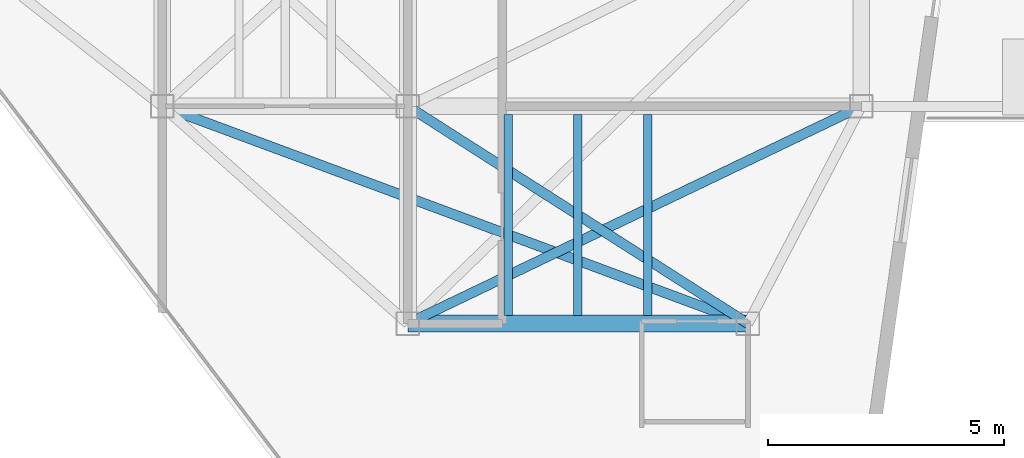
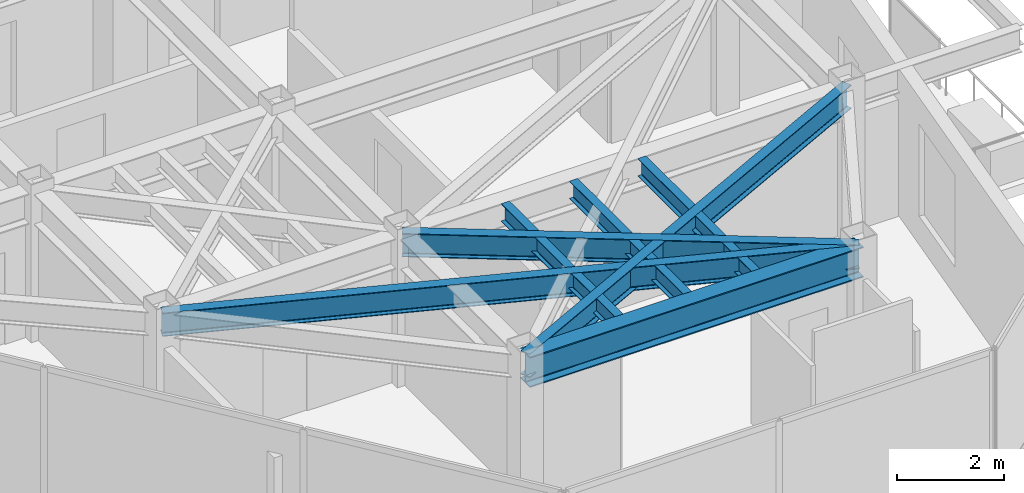
# One storey, part 10 of 17: 7 beams.
"""IFC4 building model written with IfcOpenShell, lengths in metres."""

from ifc_helpers import new_model, si_unit, direction, frame, origin, origin_2d, place, context, subcontext, project, spatial, i_section, extrude, material, material_profile, profile_set, type_object, element, save


model = new_model("IFC4")

# Units and contexts
model_context = context("Model", 3, precision=1e-05, world=origin(), true_north=direction((0.0, 1.0)))
body_context = subcontext(model_context, "Body", "Model", "MODEL_VIEW")
ifc_project = project(units=[si_unit("LENGTHUNIT", "METRE"), si_unit("AREAUNIT", "SQUARE_METRE"), si_unit("VOLUMEUNIT", "CUBIC_METRE"), si_unit("PLANEANGLEUNIT", "RADIAN"), si_unit("MASSUNIT", "GRAM", prefix="KILO")], contexts=[model_context])

# Site, building, storey
site_placement = place(None, origin())
site = spatial("IfcSite", under=ifc_project, at=site_placement, CompositionType="ELEMENT")
building_placement = place(site_placement, origin())
building = spatial("IfcBuilding", under=site, at=building_placement, Name="Kravanh Interchange Tower", CompositionType="ELEMENT")
storey_placement = place(building_placement, frame((0.0, 0.0, 256.199951171875)))
storey = spatial("IfcBuildingStorey", under=building, at=storey_placement, Name="L62", CompositionType="ELEMENT", Elevation=256.199951171875)

# Beams
ifc_material_1 = material(Name="Structural Steel S355", Category="steel")
ifc_material_profile_1 = material_profile(ifc_material_1, i_section(OverallWidth=0.35498046875, OverallDepth=0.696044921875, WebThickness=0.015380859375, FlangeThickness=0.02490234375, FilletRadius=0.02392578125, at=origin_2d()), Name="W27X146")
ifc_profile_set_1 = profile_set([ifc_material_profile_1], Name="Structural Steel S355")
beam_type_1 = type_object("IfcBeamType", Name="Floor Beam W27X146 Structural Steel S355", PredefinedType="BEAM", material=ifc_profile_set_1)
beam_1_placement = place(storey_placement, frame((56.0, 22.199951171875, 3.011962890625), z_axis=(1.0, 0.0, 0.0), x_axis=(0.0, 1.0, 0.0)))
element("IfcBeam", 1, at=beam_1_placement, inside=storey, type_object=beam_type_1, Name="L62 Primary Floor Girder 39", PredefinedType="BEAM", context=body_context, shape_type="SweptSolid", body=[
    extrude(i_section(OverallWidth=0.35498046875, OverallDepth=0.696044921875, WebThickness=0.015380859375, FlangeThickness=0.02490234375, FilletRadius=0.02392578125, at=origin_2d()), origin(), (0.0, 0.0, 1.0), 7.199951171875),
])
ifc_material_2 = material(Name="Structural Steel S355", Category="steel")
ifc_material_profile_2 = material_profile(ifc_material_2, i_section(OverallWidth=0.177978515625, OverallDepth=0.406005859375, WebThickness=0.0078125, FlangeThickness=0.0126953125, FilletRadius=0.01611328125, at=origin_2d()), Name="W16X40")
ifc_profile_set_2 = profile_set([ifc_material_profile_2], Name="Structural Steel S355")
beam_type_2 = type_object("IfcBeamType", Name="Floor Joist W16X40 Structural Steel S355", PredefinedType="JOIST", material=ifc_profile_set_2)
for number, where, z_axis, x_axis, name in (
    (2, (58.125, 22.37255859375, 3.156982421875), (0.0, 1.0, 0.0), (-1.0, 0.0, 0.0), "L62 Secondary Floor Joist 1"),
    (3, (59.60009765625, 22.37255859375, 3.156982421875), (0.0, 1.0, 0.0), (-1.0, 0.0, 0.0), "L62 Secondary Floor Joist 2"),
    (4, (61.074951171875, 22.37255859375, 3.156982421875), (0.0, 1.0, 0.0), (-1.0, 0.0, 0.0), "L62 Secondary Floor Joist 3"),
):
    element("IfcBeam", number, at=place(storey_placement, frame(where, z_axis=z_axis, x_axis=x_axis)), inside=storey, type_object=beam_type_2, Name=name, PredefinedType="JOIST", context=body_context, shape_type="SweptSolid", body=[
        extrude(i_section(OverallWidth=0.177978515625, OverallDepth=0.406005859375, WebThickness=0.0078125, FlangeThickness=0.0126953125, FilletRadius=0.01611328125, at=origin_2d()), origin(), (0.0, 0.0, 1.0), 4.2548828125),
    ])
ifc_material_3 = material(Name="Structural Steel S355", Category="steel")
ifc_material_profile_3 = material_profile(ifc_material_3, i_section(OverallWidth=0.2099609375, OverallDepth=0.537109375, WebThickness=0.010986328125, FlangeThickness=0.017333984375, FilletRadius=0.02001953125, at=origin_2d()), Name="W21X68")
ifc_profile_set_3 = profile_set([ifc_material_profile_3], Name="Structural Steel S355")
beam_type_3 = type_object("IfcBeamType", Name="Floor Spandrel W21X68 Structural Steel S355", PredefinedType="SPANDREL", material=ifc_profile_set_3)
beam_2_placement = place(storey_placement, frame((50.800048828125, 26.800048828125, 3.091552734375), z_axis=(0.937562917338, -0.347815721372, 0.0), x_axis=(0.347815721372, 0.937562917338, 0.0)))
element("IfcBeam", 5, at=beam_2_placement, inside=storey, type_object=beam_type_3, Name="L62 Perimeter Spandrel 33", PredefinedType="SPANDREL", context=body_context, shape_type="SweptSolid", body=[
    extrude(i_section(OverallWidth=0.2099609375, OverallDepth=0.537109375, WebThickness=0.010986328125, FlangeThickness=0.017333984375, FilletRadius=0.02001953125, at=origin_2d()), origin(), (0.0, 0.0, 1.0), 13.2255859375),
])
beam_3_placement = place(storey_placement, frame((56.0, 26.800048828125, 3.091552734375), z_axis=(0.842689417531, -0.53839998661, 0.0), x_axis=(0.53839998661, 0.842689417531, 0.0)))
element("IfcBeam", 6, at=beam_3_placement, inside=storey, type_object=beam_type_3, Name="L62 Perimeter Spandrel 35", PredefinedType="SPANDREL", context=body_context, shape_type="SweptSolid", body=[
    extrude(i_section(OverallWidth=0.2099609375, OverallDepth=0.537109375, WebThickness=0.010986328125, FlangeThickness=0.017333984375, FilletRadius=0.02001953125, at=origin_2d()), origin(), (0.0, 0.0, 1.0), 8.5439453125),
])
beam_4_placement = place(storey_placement, frame((65.60009765625, 26.800048828125, 3.091552734375), z_axis=(-0.901814166789, -0.432124066188, 0.0), x_axis=(0.432124066188, -0.901814166789, 0.0)))
element("IfcBeam", 7, at=beam_4_placement, inside=storey, type_object=beam_type_3, Name="L62 Perimeter Spandrel 38", PredefinedType="SPANDREL", context=body_context, shape_type="SweptSolid", body=[
    extrude(i_section(OverallWidth=0.2099609375, OverallDepth=0.537109375, WebThickness=0.010986328125, FlangeThickness=0.017333984375, FilletRadius=0.02001953125, at=origin_2d()), origin(), (0.0, 0.0, 1.0), 10.645263671875),
])

save(model, "model.ifc")
